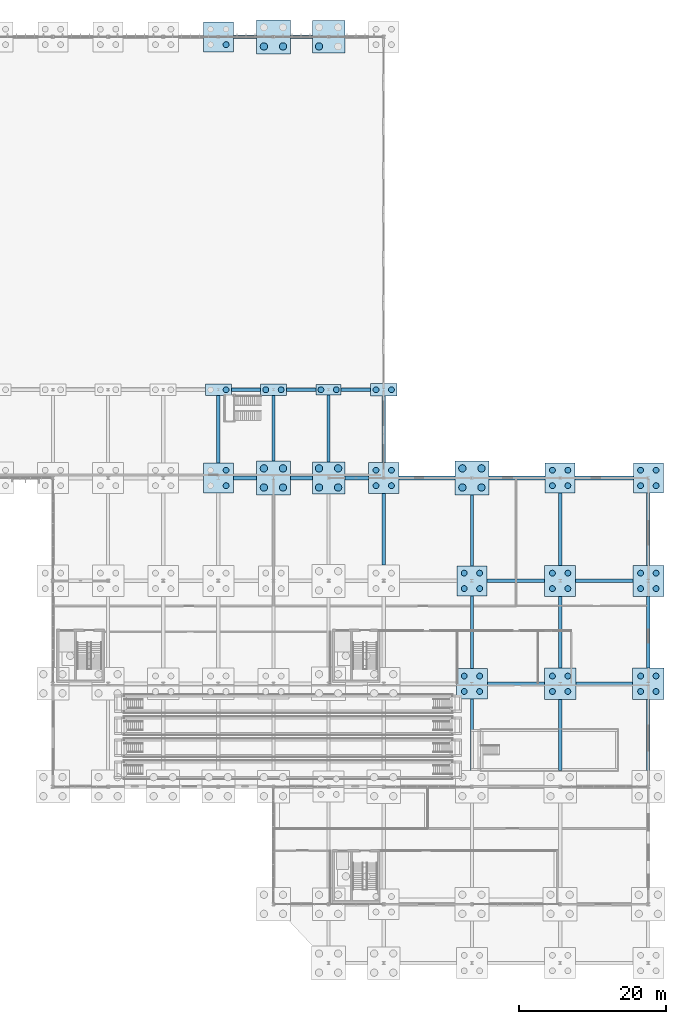
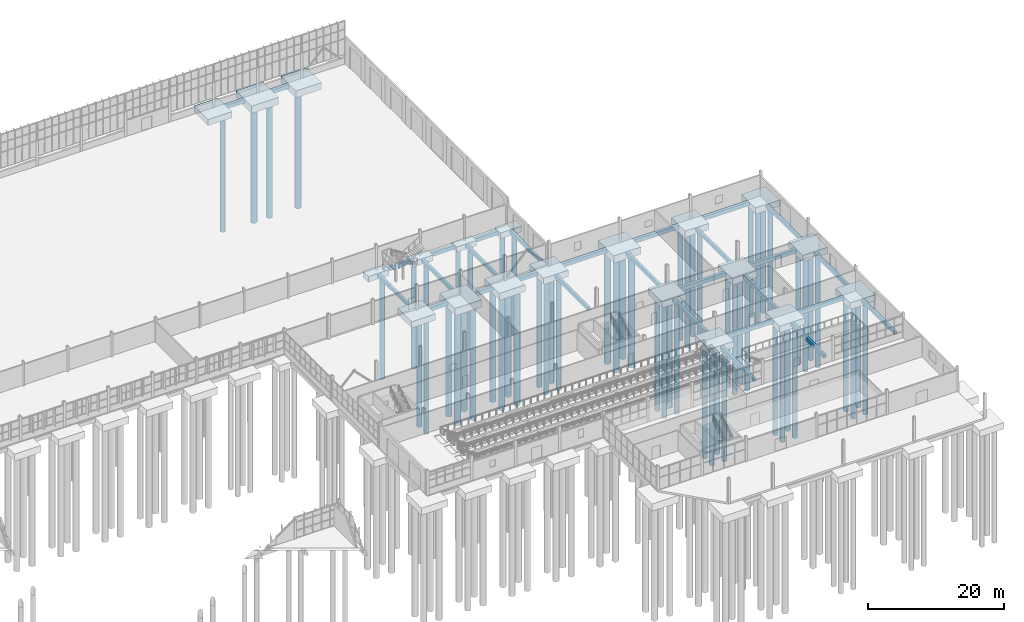
# One storey, part 8 of 136: 61 piles, 49 footings.
"""IFC4 building model written with IfcOpenShell, lengths in metres."""

from ifc_helpers import new_model, si_unit, direction, frame, origin, origin_2d, place, context, subcontext, project, spatial, rectangle, circle, extrude, material, material_profile, profile_set, type_object, element, save


model = new_model("IFC4")

# Units and contexts
model_context = context("Model", 3, precision=1e-05, world=origin(), true_north=direction((0.0, 1.0)))
body_context = subcontext(model_context, "Body", "Model", "MODEL_VIEW")
ifc_project = project(units=[si_unit("LENGTHUNIT", "METRE"), si_unit("AREAUNIT", "SQUARE_METRE"), si_unit("VOLUMEUNIT", "CUBIC_METRE"), si_unit("PLANEANGLEUNIT", "RADIAN"), si_unit("MASSUNIT", "GRAM", prefix="KILO")], contexts=[model_context])

# Site, building, storey
site_placement = place(None, origin())
site = spatial("IfcSite", under=ifc_project, at=site_placement, CompositionType="ELEMENT")
building_placement = place(site_placement, origin())
building = spatial("IfcBuilding", under=site, at=building_placement, Name="Solvenia Promenade Tram Depot", CompositionType="ELEMENT")
storey_placement = place(building_placement, origin())
storey = spatial("IfcBuildingStorey", under=building, at=storey_placement, Name="L00", CompositionType="ELEMENT", Elevation=0.0)

# Footings
ifc_material = material(Name="Concrete C28/35", Category="concrete")
footing_type_1 = type_object("IfcFootingType", Name="Cap-PC2-3400x1450", PredefinedType="PILE_CAP", material=ifc_material)
footing_1_placement = place(storey_placement, frame((142.5, 78.0, -1.25), z_axis=(0.0, 0.0, 1.0), x_axis=(1.0, 0.0, 0.0)))
element("IfcFooting", 1, at=footing_1_placement, inside=storey, type_object=footing_type_1, Name="Pile Cap CAP-131", PredefinedType="PILE_CAP", context=body_context, shape_type="SweptSolid", body=[
    extrude(rectangle(XDim=3.39990234375, YDim=1.449951171875, at=origin_2d()), origin(), (0.0, 0.0, 1.0), 0.949951171875),
])
footing_type_2 = type_object("IfcFootingType", Name="Cap-PC2-3500x1560", PredefinedType="PILE_CAP", material=ifc_material)
footing_2_placement = place(storey_placement, frame((135.0, 78.0, -1.300048828125), z_axis=(0.0, 0.0, 1.0), x_axis=(1.0, 0.0, 0.0)))
element("IfcFooting", 2, at=footing_2_placement, inside=storey, type_object=footing_type_2, Name="Pile Cap CAP-123", PredefinedType="PILE_CAP", context=body_context, shape_type="SweptSolid", body=[
    extrude(rectangle(XDim=3.5, YDim=1.56005859375, at=origin_2d()), origin(), (0.0, 0.0, 1.0), 1.0),
])
footing_type_3 = type_object("IfcFootingType", Name="Cap-PC2-3550x1620", PredefinedType="PILE_CAP", material=ifc_material)
footing_3_placement = place(storey_placement, frame((127.5, 78.0, -1.320068359375), z_axis=(0.0, 0.0, 1.0), x_axis=(1.0, 0.0, 0.0)))
element("IfcFooting", 3, at=footing_3_placement, inside=storey, type_object=footing_type_3, Name="Pile Cap CAP-116", PredefinedType="PILE_CAP", context=body_context, shape_type="SweptSolid", body=[
    extrude(rectangle(XDim=3.550048828125, YDim=1.6201171875, at=origin_2d()), origin(), (0.0, 0.0, 1.0), 1.02001953125),
])
footing_type_4 = type_object("IfcFootingType", Name="Cap-PC2-3600x1680", PredefinedType="PILE_CAP", material=ifc_material)
footing_4_placement = place(storey_placement, frame((150.0, 78.0, -1.35009765625), z_axis=(0.0, 0.0, 1.0), x_axis=(1.0, 0.0, 0.0)))
element("IfcFooting", 4, at=footing_4_placement, inside=storey, type_object=footing_type_4, Name="Pile Cap CAP-139", PredefinedType="PILE_CAP", context=body_context, shape_type="SweptSolid", body=[
    extrude(rectangle(XDim=3.60009765625, YDim=1.679931640625, at=origin_2d()), origin(), (0.0, 0.0, 1.0), 1.050048828125),
])
footing_type_5 = type_object("IfcFootingType", Name="Cap-PC4-4100", PredefinedType="PILE_CAP", material=ifc_material)
for number, where, z_axis, x_axis, name in (
    (5, (127.5, 66.0, -1.420166015625), (0.0, 0.0, 1.0), (1.0, 0.0, 0.0), "Pile Cap CAP-115"),
    (6, (127.5, 126.0, -1.420166015625), (0.0, 0.0, 1.0), (1.0, 0.0, 0.0), "Pile Cap CAP-117"),
    (7, (162.0, 52.0, -1.420166015625), (0.0, 0.0, 1.0), (1.0, 0.0, 0.0), "Pile Cap CAP-145"),
    (8, (174.0, 66.0, -1.420166015625), (0.0, 0.0, 1.0), (1.0, 0.0, 0.0), "Pile Cap CAP-152"),
    (9, (186.0, 66.0, -1.420166015625), (0.0, 0.0, 1.0), (1.0, 0.0, 0.0), "Pile Cap CAP-158"),
):
    element("IfcFooting", number, at=place(storey_placement, frame(where, z_axis=z_axis, x_axis=x_axis)), inside=storey, type_object=footing_type_5, Name=name, PredefinedType="PILE_CAP", context=body_context, shape_type="SweptSolid", body=[
        extrude(rectangle(XDim=4.10009765625, YDim=4.10009765625, at=origin_2d()), origin(), (0.0, 0.0, 1.0), 1.1201171875),
    ])
footing_type_6 = type_object("IfcFootingType", Name="Cap-PC4-4200", PredefinedType="PILE_CAP", material=ifc_material)
for number, where, z_axis, x_axis, name in (
    (10, (150.0, 66.0, -1.449951171875), (0.0, 0.0, 1.0), (1.0, 0.0, 0.0), "Pile Cap CAP-138"),
    (11, (162.0, 38.0, -1.449951171875), (0.0, 0.0, 1.0), (1.0, 0.0, 0.0), "Pile Cap CAP-144"),
    (12, (174.0, 52.0, -1.449951171875), (0.0, 0.0, 1.0), (1.0, 0.0, 0.0), "Pile Cap CAP-151"),
    (13, (186.0, 52.0, -1.449951171875), (0.0, 0.0, 1.0), (1.0, 0.0, 0.0), "Pile Cap CAP-157"),
):
    element("IfcFooting", number, at=place(storey_placement, frame(where, z_axis=z_axis, x_axis=x_axis)), inside=storey, type_object=footing_type_6, Name=name, PredefinedType="PILE_CAP", context=body_context, shape_type="SweptSolid", body=[
        extrude(rectangle(XDim=4.199951171875, YDim=4.199951171875, at=origin_2d()), origin(), (0.0, 0.0, 1.0), 1.14990234375),
    ])
footing_type_7 = type_object("IfcFootingType", Name="Cap-PC4-4300", PredefinedType="PILE_CAP", material=ifc_material)
for number, where, z_axis, x_axis, name in (
    (14, (174.0, 38.0, -1.47998046875), (0.0, 0.0, 1.0), (1.0, 0.0, 0.0), "Pile Cap CAP-150"),
    (15, (186.0, 38.0, -1.47998046875), (0.0, 0.0, 1.0), (1.0, 0.0, 0.0), "Pile Cap CAP-156"),
):
    element("IfcFooting", number, at=place(storey_placement, frame(where, z_axis=z_axis, x_axis=x_axis)), inside=storey, type_object=footing_type_7, Name=name, PredefinedType="PILE_CAP", context=body_context, shape_type="SweptSolid", body=[
        extrude(rectangle(XDim=4.300048828125, YDim=4.300048828125, at=origin_2d()), origin(), (0.0, 0.0, 1.0), 1.179931640625),
    ])
footing_type_8 = type_object("IfcFootingType", Name="Cap-PC4-4400", PredefinedType="PILE_CAP", material=ifc_material)
for number, where, z_axis, x_axis, name in (
    (16, (142.5, 66.0, -1.52001953125), (0.0, 0.0, 1.0), (1.0, 0.0, 0.0), "Pile Cap CAP-130"),
    (17, (142.5, 126.0, -1.52001953125), (0.0, 0.0, 1.0), (1.0, 0.0, 0.0), "Pile Cap CAP-132"),
):
    element("IfcFooting", number, at=place(storey_placement, frame(where, z_axis=z_axis, x_axis=x_axis)), inside=storey, type_object=footing_type_8, Name=name, PredefinedType="PILE_CAP", context=body_context, shape_type="SweptSolid", body=[
        extrude(rectangle(XDim=4.39990234375, YDim=4.39990234375, at=origin_2d()), origin(), (0.0, 0.0, 1.0), 1.219970703125),
    ])
footing_type_9 = type_object("IfcFootingType", Name="Cap-PC4-4600", PredefinedType="PILE_CAP", material=ifc_material)
for number, where, z_axis, x_axis, name in (
    (18, (135.0, 66.0, -1.60009765625), (0.0, 0.0, 1.0), (1.0, 0.0, 0.0), "Pile Cap CAP-122"),
    (19, (135.0, 126.0, -1.60009765625), (0.0, 0.0, 1.0), (1.0, 0.0, 0.0), "Pile Cap CAP-124"),
    (20, (162.0, 66.0, -1.60009765625), (0.0, 0.0, 1.0), (1.0, 0.0, 0.0), "Pile Cap CAP-146"),
):
    element("IfcFooting", number, at=place(storey_placement, frame(where, z_axis=z_axis, x_axis=x_axis)), inside=storey, type_object=footing_type_9, Name=name, PredefinedType="PILE_CAP", context=body_context, shape_type="SweptSolid", body=[
        extrude(rectangle(XDim=4.60009765625, YDim=4.60009765625, at=origin_2d()), origin(), (0.0, 0.0, 1.0), 1.300048828125),
    ])

# Piles
ifc_material_profile_1 = material_profile(ifc_material, circle(Radius=0.5, at=origin_2d()), Name="D1000", Category="concrete")
ifc_profile_set_1 = profile_set([ifc_material_profile_1], Name="Concrete C28/35")
pile_type_1 = type_object("IfcPileType", Name="Pile-D1000", PredefinedType="BORED", material=ifc_profile_set_1)
for number, where, z_axis, x_axis, name in (
    (21, (133.699951171875, 64.699951171875, -1.5), (0.0, 0.0, -1.0), (1.0, 0.0, 0.0), "Bored Pile PILE-122-1"),
    (22, (133.699951171875, 67.300048828125, -1.5), (0.0, 0.0, -1.0), (1.0, 0.0, 0.0), "Bored Pile PILE-122-2"),
    (23, (136.300048828125, 64.699951171875, -1.5), (0.0, 0.0, -1.0), (1.0, 0.0, 0.0), "Bored Pile PILE-122-3"),
    (24, (136.300048828125, 67.300048828125, -1.5), (0.0, 0.0, -1.0), (1.0, 0.0, 0.0), "Bored Pile PILE-122-4"),
    (25, (133.699951171875, 124.699951171875, -1.5), (0.0, 0.0, -1.0), (1.0, 0.0, 0.0), "Bored Pile PILE-124-1"),
    (26, (136.300048828125, 124.699951171875, -1.5), (0.0, 0.0, -1.0), (1.0, 0.0, 0.0), "Bored Pile PILE-124-3"),
):
    element("IfcPile", number, at=place(storey_placement, frame(where, z_axis=z_axis, x_axis=x_axis)), inside=storey, type_object=pile_type_1, Name=name, PredefinedType="BORED", context=body_context, shape_type="SweptSolid", body=[
        extrude(circle(Radius=0.5, at=origin_2d()), origin(), (0.0, 0.0, 1.0), 20.5),
    ])
for number, where, z_axis, x_axis, name in (
    (27, (141.199951171875, 64.699951171875, -1.419921875), (0.0, 0.0, -1.0), (1.0, 0.0, 0.0), "Bored Pile PILE-130-1"),
    (28, (141.199951171875, 67.300048828125, -1.419921875), (0.0, 0.0, -1.0), (1.0, 0.0, 0.0), "Bored Pile PILE-130-2"),
    (29, (143.800048828125, 64.699951171875, -1.419921875), (0.0, 0.0, -1.0), (1.0, 0.0, 0.0), "Bored Pile PILE-130-3"),
    (30, (143.800048828125, 67.300048828125, -1.419921875), (0.0, 0.0, -1.0), (1.0, 0.0, 0.0), "Bored Pile PILE-130-4"),
    (31, (141.199951171875, 124.699951171875, -1.419921875), (0.0, 0.0, -1.0), (1.0, 0.0, 0.0), "Bored Pile PILE-132-1"),
):
    element("IfcPile", number, at=place(storey_placement, frame(where, z_axis=z_axis, x_axis=x_axis)), inside=storey, type_object=pile_type_1, Name=name, PredefinedType="BORED", context=body_context, shape_type="SweptSolid", body=[
        extrude(circle(Radius=0.5, at=origin_2d()), origin(), (0.0, 0.0, 1.0), 20.580078125),
    ])
for number, where, z_axis, x_axis, name in (
    (32, (160.699951171875, 64.699951171875, -1.5), (0.0, 0.0, -1.0), (1.0, 0.0, 0.0), "Bored Pile PILE-146-1"),
    (33, (160.699951171875, 67.300048828125, -1.5), (0.0, 0.0, -1.0), (1.0, 0.0, 0.0), "Bored Pile PILE-146-2"),
    (34, (163.300048828125, 64.699951171875, -1.5), (0.0, 0.0, -1.0), (1.0, 0.0, 0.0), "Bored Pile PILE-146-3"),
    (35, (163.300048828125, 67.300048828125, -1.5), (0.0, 0.0, -1.0), (1.0, 0.0, 0.0), "Bored Pile PILE-146-4"),
):
    element("IfcPile", number, at=place(storey_placement, frame(where, z_axis=z_axis, x_axis=x_axis)), inside=storey, type_object=pile_type_1, Name=name, PredefinedType="BORED", context=body_context, shape_type="SweptSolid", body=[
        extrude(circle(Radius=0.5, at=origin_2d()), origin(), (0.0, 0.0, 1.0), 20.5),
    ])
ifc_material_profile_2 = material_profile(ifc_material, circle(Radius=0.39990234375, at=origin_2d()), Name="D800", Category="concrete")
ifc_profile_set_2 = profile_set([ifc_material_profile_2], Name="Concrete C28/35")
pile_type_2 = type_object("IfcPileType", Name="Pile-D800", PredefinedType="BORED", material=ifc_profile_set_2)
for number, where, z_axis, x_axis, name in (
    (36, (128.550048828125, 64.949951171875, -1.320068359375), (0.0, 0.0, -1.0), (1.0, 0.0, 0.0), "Bored Pile PILE-115-3"),
    (37, (128.550048828125, 67.050048828125, -1.320068359375), (0.0, 0.0, -1.0), (1.0, 0.0, 0.0), "Bored Pile PILE-115-4"),
):
    element("IfcPile", number, at=place(storey_placement, frame(where, z_axis=z_axis, x_axis=x_axis)), inside=storey, type_object=pile_type_2, Name=name, PredefinedType="BORED", context=body_context, shape_type="SweptSolid", body=[
        extrude(circle(Radius=0.39990234375, at=origin_2d()), origin(), (0.0, 0.0, 1.0), 20.679931640625),
    ])
pile_1_placement = place(storey_placement, frame((128.550048828125, 78.0, -1.219970703125), z_axis=(0.0, 0.0, -1.0), x_axis=(1.0, 0.0, 0.0)))
element("IfcPile", 38, at=pile_1_placement, inside=storey, type_object=pile_type_2, Name="Bored Pile PILE-116-2", PredefinedType="BORED", context=body_context, shape_type="SweptSolid", body=[
    extrude(circle(Radius=0.39990234375, at=origin_2d()), origin(), (0.0, 0.0, 1.0), 18.780029296875),
])
pile_2_placement = place(storey_placement, frame((128.550048828125, 124.949951171875, -1.320068359375), z_axis=(0.0, 0.0, -1.0), x_axis=(1.0, 0.0, 0.0)))
element("IfcPile", 39, at=pile_2_placement, inside=storey, type_object=pile_type_2, Name="Bored Pile PILE-117-3", PredefinedType="BORED", context=body_context, shape_type="SweptSolid", body=[
    extrude(circle(Radius=0.39990234375, at=origin_2d()), origin(), (0.0, 0.0, 1.0), 20.679931640625),
])
for number, where, z_axis, x_axis, name in (
    (40, (133.949951171875, 78.0, -1.199951171875), (0.0, 0.0, -1.0), (1.0, 0.0, 0.0), "Bored Pile PILE-123-1"),
    (41, (136.050048828125, 78.0, -1.199951171875), (0.0, 0.0, -1.0), (1.0, 0.0, 0.0), "Bored Pile PILE-123-2"),
):
    element("IfcPile", number, at=place(storey_placement, frame(where, z_axis=z_axis, x_axis=x_axis)), inside=storey, type_object=pile_type_2, Name=name, PredefinedType="BORED", context=body_context, shape_type="SweptSolid", body=[
        extrude(circle(Radius=0.39990234375, at=origin_2d()), origin(), (0.0, 0.0, 1.0), 18.800048828125),
    ])
for number, where, z_axis, x_axis, name in (
    (42, (141.449951171875, 78.0, -1.14990234375), (0.0, 0.0, -1.0), (1.0, 0.0, 0.0), "Bored Pile PILE-131-1"),
    (43, (143.550048828125, 78.0, -1.14990234375), (0.0, 0.0, -1.0), (1.0, 0.0, 0.0), "Bored Pile PILE-131-2"),
):
    element("IfcPile", number, at=place(storey_placement, frame(where, z_axis=z_axis, x_axis=x_axis)), inside=storey, type_object=pile_type_2, Name=name, PredefinedType="BORED", context=body_context, shape_type="SweptSolid", body=[
        extrude(circle(Radius=0.39990234375, at=origin_2d()), origin(), (0.0, 0.0, 1.0), 18.85009765625),
    ])
for number, where, z_axis, x_axis, name in (
    (44, (148.949951171875, 64.949951171875, -1.35009765625), (0.0, 0.0, -1.0), (1.0, 0.0, 0.0), "Bored Pile PILE-138-1"),
    (45, (148.949951171875, 67.050048828125, -1.35009765625), (0.0, 0.0, -1.0), (1.0, 0.0, 0.0), "Bored Pile PILE-138-2"),
    (46, (151.050048828125, 64.949951171875, -1.35009765625), (0.0, 0.0, -1.0), (1.0, 0.0, 0.0), "Bored Pile PILE-138-3"),
    (47, (151.050048828125, 67.050048828125, -1.35009765625), (0.0, 0.0, -1.0), (1.0, 0.0, 0.0), "Bored Pile PILE-138-4"),
):
    element("IfcPile", number, at=place(storey_placement, frame(where, z_axis=z_axis, x_axis=x_axis)), inside=storey, type_object=pile_type_2, Name=name, PredefinedType="BORED", context=body_context, shape_type="SweptSolid", body=[
        extrude(circle(Radius=0.39990234375, at=origin_2d()), origin(), (0.0, 0.0, 1.0), 20.64990234375),
    ])
for number, where, z_axis, x_axis, name in (
    (48, (148.949951171875, 78.0, -1.25), (0.0, 0.0, -1.0), (1.0, 0.0, 0.0), "Bored Pile PILE-139-1"),
    (49, (151.050048828125, 78.0, -1.25), (0.0, 0.0, -1.0), (1.0, 0.0, 0.0), "Bored Pile PILE-139-2"),
):
    element("IfcPile", number, at=place(storey_placement, frame(where, z_axis=z_axis, x_axis=x_axis)), inside=storey, type_object=pile_type_2, Name=name, PredefinedType="BORED", context=body_context, shape_type="SweptSolid", body=[
        extrude(circle(Radius=0.39990234375, at=origin_2d()), origin(), (0.0, 0.0, 1.0), 18.75),
    ])
for number, where, z_axis, x_axis, name in (
    (50, (160.949951171875, 36.949951171875, -1.35009765625), (0.0, 0.0, -1.0), (1.0, 0.0, 0.0), "Bored Pile PILE-144-1"),
    (51, (160.949951171875, 39.050048828125, -1.35009765625), (0.0, 0.0, -1.0), (1.0, 0.0, 0.0), "Bored Pile PILE-144-2"),
    (52, (163.050048828125, 36.949951171875, -1.35009765625), (0.0, 0.0, -1.0), (1.0, 0.0, 0.0), "Bored Pile PILE-144-3"),
    (53, (163.050048828125, 39.050048828125, -1.35009765625), (0.0, 0.0, -1.0), (1.0, 0.0, 0.0), "Bored Pile PILE-144-4"),
):
    element("IfcPile", number, at=place(storey_placement, frame(where, z_axis=z_axis, x_axis=x_axis)), inside=storey, type_object=pile_type_2, Name=name, PredefinedType="BORED", context=body_context, shape_type="SweptSolid", body=[
        extrude(circle(Radius=0.39990234375, at=origin_2d()), origin(), (0.0, 0.0, 1.0), 20.64990234375),
    ])
for number, where, z_axis, x_axis, name in (
    (54, (160.949951171875, 50.949951171875, -1.320068359375), (0.0, 0.0, -1.0), (1.0, 0.0, 0.0), "Bored Pile PILE-145-1"),
    (55, (160.949951171875, 53.050048828125, -1.320068359375), (0.0, 0.0, -1.0), (1.0, 0.0, 0.0), "Bored Pile PILE-145-2"),
    (56, (163.050048828125, 50.949951171875, -1.320068359375), (0.0, 0.0, -1.0), (1.0, 0.0, 0.0), "Bored Pile PILE-145-3"),
    (57, (163.050048828125, 53.050048828125, -1.320068359375), (0.0, 0.0, -1.0), (1.0, 0.0, 0.0), "Bored Pile PILE-145-4"),
):
    element("IfcPile", number, at=place(storey_placement, frame(where, z_axis=z_axis, x_axis=x_axis)), inside=storey, type_object=pile_type_2, Name=name, PredefinedType="BORED", context=body_context, shape_type="SweptSolid", body=[
        extrude(circle(Radius=0.39990234375, at=origin_2d()), origin(), (0.0, 0.0, 1.0), 20.679931640625),
    ])
for number, where, z_axis, x_axis, name in (
    (58, (172.949951171875, 36.949951171875, -1.3798828125), (0.0, 0.0, -1.0), (1.0, 0.0, 0.0), "Bored Pile PILE-150-1"),
    (59, (172.949951171875, 39.050048828125, -1.3798828125), (0.0, 0.0, -1.0), (1.0, 0.0, 0.0), "Bored Pile PILE-150-2"),
    (60, (175.050048828125, 36.949951171875, -1.3798828125), (0.0, 0.0, -1.0), (1.0, 0.0, 0.0), "Bored Pile PILE-150-3"),
    (61, (175.050048828125, 39.050048828125, -1.3798828125), (0.0, 0.0, -1.0), (1.0, 0.0, 0.0), "Bored Pile PILE-150-4"),
):
    element("IfcPile", number, at=place(storey_placement, frame(where, z_axis=z_axis, x_axis=x_axis)), inside=storey, type_object=pile_type_2, Name=name, PredefinedType="BORED", context=body_context, shape_type="SweptSolid", body=[
        extrude(circle(Radius=0.39990234375, at=origin_2d()), origin(), (0.0, 0.0, 1.0), 20.6201171875),
    ])
for number, where, z_axis, x_axis, name in (
    (62, (172.949951171875, 50.949951171875, -1.35009765625), (0.0, 0.0, -1.0), (1.0, 0.0, 0.0), "Bored Pile PILE-151-1"),
    (63, (172.949951171875, 53.050048828125, -1.35009765625), (0.0, 0.0, -1.0), (1.0, 0.0, 0.0), "Bored Pile PILE-151-2"),
    (64, (175.050048828125, 50.949951171875, -1.35009765625), (0.0, 0.0, -1.0), (1.0, 0.0, 0.0), "Bored Pile PILE-151-3"),
    (65, (175.050048828125, 53.050048828125, -1.35009765625), (0.0, 0.0, -1.0), (1.0, 0.0, 0.0), "Bored Pile PILE-151-4"),
):
    element("IfcPile", number, at=place(storey_placement, frame(where, z_axis=z_axis, x_axis=x_axis)), inside=storey, type_object=pile_type_2, Name=name, PredefinedType="BORED", context=body_context, shape_type="SweptSolid", body=[
        extrude(circle(Radius=0.39990234375, at=origin_2d()), origin(), (0.0, 0.0, 1.0), 20.64990234375),
    ])
for number, where, z_axis, x_axis, name in (
    (66, (172.949951171875, 64.949951171875, -1.320068359375), (0.0, 0.0, -1.0), (1.0, 0.0, 0.0), "Bored Pile PILE-152-1"),
    (67, (172.949951171875, 67.050048828125, -1.320068359375), (0.0, 0.0, -1.0), (1.0, 0.0, 0.0), "Bored Pile PILE-152-2"),
    (68, (175.050048828125, 64.949951171875, -1.320068359375), (0.0, 0.0, -1.0), (1.0, 0.0, 0.0), "Bored Pile PILE-152-3"),
    (69, (175.050048828125, 67.050048828125, -1.320068359375), (0.0, 0.0, -1.0), (1.0, 0.0, 0.0), "Bored Pile PILE-152-4"),
):
    element("IfcPile", number, at=place(storey_placement, frame(where, z_axis=z_axis, x_axis=x_axis)), inside=storey, type_object=pile_type_2, Name=name, PredefinedType="BORED", context=body_context, shape_type="SweptSolid", body=[
        extrude(circle(Radius=0.39990234375, at=origin_2d()), origin(), (0.0, 0.0, 1.0), 20.679931640625),
    ])
for number, where, z_axis, x_axis, name in (
    (70, (184.949951171875, 36.949951171875, -1.3798828125), (0.0, 0.0, -1.0), (1.0, 0.0, 0.0), "Bored Pile PILE-156-1"),
    (71, (184.949951171875, 39.050048828125, -1.3798828125), (0.0, 0.0, -1.0), (1.0, 0.0, 0.0), "Bored Pile PILE-156-2"),
    (72, (187.050048828125, 36.949951171875, -1.3798828125), (0.0, 0.0, -1.0), (1.0, 0.0, 0.0), "Bored Pile PILE-156-3"),
    (73, (187.050048828125, 39.050048828125, -1.3798828125), (0.0, 0.0, -1.0), (1.0, 0.0, 0.0), "Bored Pile PILE-156-4"),
):
    element("IfcPile", number, at=place(storey_placement, frame(where, z_axis=z_axis, x_axis=x_axis)), inside=storey, type_object=pile_type_2, Name=name, PredefinedType="BORED", context=body_context, shape_type="SweptSolid", body=[
        extrude(circle(Radius=0.39990234375, at=origin_2d()), origin(), (0.0, 0.0, 1.0), 20.6201171875),
    ])
for number, where, z_axis, x_axis, name in (
    (74, (184.949951171875, 50.949951171875, -1.35009765625), (0.0, 0.0, -1.0), (1.0, 0.0, 0.0), "Bored Pile PILE-157-1"),
    (75, (184.949951171875, 53.050048828125, -1.35009765625), (0.0, 0.0, -1.0), (1.0, 0.0, 0.0), "Bored Pile PILE-157-2"),
    (76, (187.050048828125, 50.949951171875, -1.35009765625), (0.0, 0.0, -1.0), (1.0, 0.0, 0.0), "Bored Pile PILE-157-3"),
    (77, (187.050048828125, 53.050048828125, -1.35009765625), (0.0, 0.0, -1.0), (1.0, 0.0, 0.0), "Bored Pile PILE-157-4"),
):
    element("IfcPile", number, at=place(storey_placement, frame(where, z_axis=z_axis, x_axis=x_axis)), inside=storey, type_object=pile_type_2, Name=name, PredefinedType="BORED", context=body_context, shape_type="SweptSolid", body=[
        extrude(circle(Radius=0.39990234375, at=origin_2d()), origin(), (0.0, 0.0, 1.0), 20.64990234375),
    ])
for number, where, z_axis, x_axis, name in (
    (78, (184.949951171875, 64.949951171875, -1.320068359375), (0.0, 0.0, -1.0), (1.0, 0.0, 0.0), "Bored Pile PILE-158-1"),
    (79, (184.949951171875, 67.050048828125, -1.320068359375), (0.0, 0.0, -1.0), (1.0, 0.0, 0.0), "Bored Pile PILE-158-2"),
    (80, (187.050048828125, 64.949951171875, -1.320068359375), (0.0, 0.0, -1.0), (1.0, 0.0, 0.0), "Bored Pile PILE-158-3"),
    (81, (187.050048828125, 67.050048828125, -1.320068359375), (0.0, 0.0, -1.0), (1.0, 0.0, 0.0), "Bored Pile PILE-158-4"),
):
    element("IfcPile", number, at=place(storey_placement, frame(where, z_axis=z_axis, x_axis=x_axis)), inside=storey, type_object=pile_type_2, Name=name, PredefinedType="BORED", context=body_context, shape_type="SweptSolid", body=[
        extrude(circle(Radius=0.39990234375, at=origin_2d()), origin(), (0.0, 0.0, 1.0), 20.679931640625),
    ])

# Footings
footing_type_10 = type_object("IfcFootingType", Name="TieBeam-450x600", PredefinedType="FOOTING_BEAM", material=ifc_material)
footing_5_placement = place(storey_placement, frame((127.5, 72.6201171875, -0.900146484375), z_axis=(0.0, 0.0, 1.0), x_axis=(1.0, 0.0, 0.0)))
element("IfcFooting", 82, at=footing_5_placement, inside=storey, type_object=footing_type_10, Name="Seismic Tie Beam Y-212", PredefinedType="FOOTING_BEAM", context=body_context, shape_type="SweptSolid", body=[
    extrude(rectangle(XDim=0.449951171875, YDim=9.139892578125, at=origin_2d()), origin(), (0.0, 0.0, 1.0), 0.60009765625),
])
footing_6_placement = place(storey_placement, frame((135.0, 72.760009765625, -0.900146484375), z_axis=(0.0, 0.0, 1.0), x_axis=(1.0, 0.0, 0.0)))
element("IfcFooting", 83, at=footing_6_placement, inside=storey, type_object=footing_type_10, Name="Seismic Tie Beam Y-217", PredefinedType="FOOTING_BEAM", context=body_context, shape_type="SweptSolid", body=[
    extrude(rectangle(XDim=0.449951171875, YDim=8.919921875, at=origin_2d()), origin(), (0.0, 0.0, 1.0), 0.60009765625),
])
footing_7_placement = place(storey_placement, frame((142.5, 72.737548828125, -0.900146484375), z_axis=(0.0, 0.0, 1.0), x_axis=(1.0, 0.0, 0.0)))
element("IfcFooting", 84, at=footing_7_placement, inside=storey, type_object=footing_type_10, Name="Seismic Tie Beam Y-223", PredefinedType="FOOTING_BEAM", context=body_context, shape_type="SweptSolid", body=[
    extrude(rectangle(XDim=0.449951171875, YDim=9.074951171875, at=origin_2d()), origin(), (0.0, 0.0, 1.0), 0.60009765625),
])
footing_8_placement = place(storey_placement, frame((150.0, 59.02490234375, -0.900146484375), z_axis=(0.0, 0.0, 1.0), x_axis=(1.0, 0.0, 0.0)))
element("IfcFooting", 85, at=footing_8_placement, inside=storey, type_object=footing_type_10, Name="Seismic Tie Beam Y-228", PredefinedType="FOOTING_BEAM", context=body_context, shape_type="SweptSolid", body=[
    extrude(rectangle(XDim=0.449951171875, YDim=9.75, at=origin_2d()), origin(), (0.0, 0.0, 1.0), 0.60009765625),
])
footing_9_placement = place(storey_placement, frame((150.0, 72.6298828125, -0.900146484375), z_axis=(0.0, 0.0, 1.0), x_axis=(1.0, 0.0, 0.0)))
element("IfcFooting", 86, at=footing_9_placement, inside=storey, type_object=footing_type_10, Name="Seismic Tie Beam Y-229", PredefinedType="FOOTING_BEAM", context=body_context, shape_type="SweptSolid", body=[
    extrude(rectangle(XDim=0.449951171875, YDim=9.06005859375, at=origin_2d()), origin(), (0.0, 0.0, 1.0), 0.60009765625),
])
footing_10_placement = place(storey_placement, frame((162.0, 31.050048828125, -0.900146484375), z_axis=(0.0, 0.0, 1.0), x_axis=(1.0, 0.0, 0.0)))
element("IfcFooting", 87, at=footing_10_placement, inside=storey, type_object=footing_type_10, Name="Seismic Tie Beam Y-232", PredefinedType="FOOTING_BEAM", context=body_context, shape_type="SweptSolid", body=[
    extrude(rectangle(XDim=0.449951171875, YDim=9.699951171875, at=origin_2d()), origin(), (0.0, 0.0, 1.0), 0.60009765625),
])
footing_11_placement = place(storey_placement, frame((162.0, 45.02490234375, -0.900146484375), z_axis=(0.0, 0.0, 1.0), x_axis=(1.0, 0.0, 0.0)))
element("IfcFooting", 88, at=footing_11_placement, inside=storey, type_object=footing_type_10, Name="Seismic Tie Beam Y-233", PredefinedType="FOOTING_BEAM", context=body_context, shape_type="SweptSolid", body=[
    extrude(rectangle(XDim=0.449951171875, YDim=9.85009765625, at=origin_2d()), origin(), (0.0, 0.0, 1.0), 0.60009765625),
])
for number, where, z_axis, x_axis, name in (
    (89, (162.0, 58.875, -0.900146484375), (0.0, 0.0, 1.0), (1.0, 0.0, 0.0), "Seismic Tie Beam Y-234"),
    (90, (174.0, 31.02490234375, -0.900146484375), (0.0, 0.0, 1.0), (1.0, 0.0, 0.0), "Seismic Tie Beam Y-237"),
):
    element("IfcFooting", number, at=place(storey_placement, frame(where, z_axis=z_axis, x_axis=x_axis)), inside=storey, type_object=footing_type_10, Name=name, PredefinedType="FOOTING_BEAM", context=body_context, shape_type="SweptSolid", body=[
        extrude(rectangle(XDim=0.449951171875, YDim=9.64990234375, at=origin_2d()), origin(), (0.0, 0.0, 1.0), 0.60009765625),
    ])
footing_12_placement = place(storey_placement, frame((174.0, 45.02490234375, -0.900146484375), z_axis=(0.0, 0.0, 1.0), x_axis=(1.0, 0.0, 0.0)))
element("IfcFooting", 91, at=footing_12_placement, inside=storey, type_object=footing_type_10, Name="Seismic Tie Beam Y-238", PredefinedType="FOOTING_BEAM", context=body_context, shape_type="SweptSolid", body=[
    extrude(rectangle(XDim=0.449951171875, YDim=9.75, at=origin_2d()), origin(), (0.0, 0.0, 1.0), 0.60009765625),
])
footing_13_placement = place(storey_placement, frame((174.0, 59.02490234375, -0.900146484375), z_axis=(0.0, 0.0, 1.0), x_axis=(1.0, 0.0, 0.0)))
element("IfcFooting", 92, at=footing_13_placement, inside=storey, type_object=footing_type_10, Name="Seismic Tie Beam Y-239", PredefinedType="FOOTING_BEAM", context=body_context, shape_type="SweptSolid", body=[
    extrude(rectangle(XDim=0.449951171875, YDim=9.85009765625, at=origin_2d()), origin(), (0.0, 0.0, 1.0), 0.60009765625),
])
footing_14_placement = place(storey_placement, frame((186.0, 31.02490234375, -0.900146484375), z_axis=(0.0, 0.0, 1.0), x_axis=(1.0, 0.0, 0.0)))
element("IfcFooting", 93, at=footing_14_placement, inside=storey, type_object=footing_type_10, Name="Seismic Tie Beam Y-242", PredefinedType="FOOTING_BEAM", context=body_context, shape_type="SweptSolid", body=[
    extrude(rectangle(XDim=0.449951171875, YDim=9.64990234375, at=origin_2d()), origin(), (0.0, 0.0, 1.0), 0.60009765625),
])
footing_15_placement = place(storey_placement, frame((186.0, 45.02490234375, -0.900146484375), z_axis=(0.0, 0.0, 1.0), x_axis=(1.0, 0.0, 0.0)))
element("IfcFooting", 94, at=footing_15_placement, inside=storey, type_object=footing_type_10, Name="Seismic Tie Beam Y-243", PredefinedType="FOOTING_BEAM", context=body_context, shape_type="SweptSolid", body=[
    extrude(rectangle(XDim=0.449951171875, YDim=9.75, at=origin_2d()), origin(), (0.0, 0.0, 1.0), 0.60009765625),
])
footing_16_placement = place(storey_placement, frame((186.0, 59.02490234375, -0.900146484375), z_axis=(0.0, 0.0, 1.0), x_axis=(1.0, 0.0, 0.0)))
element("IfcFooting", 95, at=footing_16_placement, inside=storey, type_object=footing_type_10, Name="Seismic Tie Beam Y-244", PredefinedType="FOOTING_BEAM", context=body_context, shape_type="SweptSolid", body=[
    extrude(rectangle(XDim=0.449951171875, YDim=9.85009765625, at=origin_2d()), origin(), (0.0, 0.0, 1.0), 0.60009765625),
])
footing_type_11 = type_object("IfcFootingType", Name="TieBeam-500x700", PredefinedType="FOOTING_BEAM", material=ifc_material)
footing_17_placement = place(storey_placement, frame((167.97509765625, 38.0, -1.0), z_axis=(0.0, 0.0, 1.0), x_axis=(1.0, 0.0, 0.0)))
element("IfcFooting", 96, at=footing_17_placement, inside=storey, type_object=footing_type_11, Name="Seismic Tie Beam X-066", PredefinedType="FOOTING_BEAM", context=body_context, shape_type="SweptSolid", body=[
    extrude(rectangle(XDim=7.75, YDim=0.5, at=origin_2d()), origin(), (0.0, 0.0, 1.0), 0.699951171875),
])
footing_18_placement = place(storey_placement, frame((180.0, 38.0, -1.0), z_axis=(0.0, 0.0, 1.0), x_axis=(1.0, 0.0, 0.0)))
element("IfcFooting", 97, at=footing_18_placement, inside=storey, type_object=footing_type_11, Name="Seismic Tie Beam X-067", PredefinedType="FOOTING_BEAM", context=body_context, shape_type="SweptSolid", body=[
    extrude(rectangle(XDim=7.699951171875, YDim=0.5, at=origin_2d()), origin(), (0.0, 0.0, 1.0), 0.699951171875),
])
footing_19_placement = place(storey_placement, frame((167.97509765625, 52.0, -1.0), z_axis=(0.0, 0.0, 1.0), x_axis=(1.0, 0.0, 0.0)))
element("IfcFooting", 98, at=footing_19_placement, inside=storey, type_object=footing_type_11, Name="Seismic Tie Beam X-081", PredefinedType="FOOTING_BEAM", context=body_context, shape_type="SweptSolid", body=[
    extrude(rectangle(XDim=7.85009765625, YDim=0.5, at=origin_2d()), origin(), (0.0, 0.0, 1.0), 0.699951171875),
])
footing_20_placement = place(storey_placement, frame((180.0, 52.0, -1.0), z_axis=(0.0, 0.0, 1.0), x_axis=(1.0, 0.0, 0.0)))
element("IfcFooting", 99, at=footing_20_placement, inside=storey, type_object=footing_type_11, Name="Seismic Tie Beam X-082", PredefinedType="FOOTING_BEAM", context=body_context, shape_type="SweptSolid", body=[
    extrude(rectangle(XDim=7.800048828125, YDim=0.5, at=origin_2d()), origin(), (0.0, 0.0, 1.0), 0.699951171875),
])
footing_21_placement = place(storey_placement, frame((131.125, 66.0, -1.0), z_axis=(0.0, 0.0, 1.0), x_axis=(1.0, 0.0, 0.0)))
element("IfcFooting", 100, at=footing_21_placement, inside=storey, type_object=footing_type_11, Name="Seismic Tie Beam X-100", PredefinedType="FOOTING_BEAM", context=body_context, shape_type="SweptSolid", body=[
    extrude(rectangle(XDim=3.14990234375, YDim=0.5, at=origin_2d()), origin(), (0.0, 0.0, 1.0), 0.699951171875),
])
footing_22_placement = place(storey_placement, frame((138.800048828125, 66.0, -1.0), z_axis=(0.0, 0.0, 1.0), x_axis=(1.0, 0.0, 0.0)))
element("IfcFooting", 101, at=footing_22_placement, inside=storey, type_object=footing_type_11, Name="Seismic Tie Beam X-101", PredefinedType="FOOTING_BEAM", context=body_context, shape_type="SweptSolid", body=[
    extrude(rectangle(XDim=3.0, YDim=0.5, at=origin_2d()), origin(), (0.0, 0.0, 1.0), 0.699951171875),
])
footing_23_placement = place(storey_placement, frame((146.300048828125, 66.0, -1.0), z_axis=(0.0, 0.0, 1.0), x_axis=(1.0, 0.0, 0.0)))
element("IfcFooting", 102, at=footing_23_placement, inside=storey, type_object=footing_type_11, Name="Seismic Tie Beam X-102", PredefinedType="FOOTING_BEAM", context=body_context, shape_type="SweptSolid", body=[
    extrude(rectangle(XDim=3.199951171875, YDim=0.5, at=origin_2d()), origin(), (0.0, 0.0, 1.0), 0.699951171875),
])
footing_24_placement = place(storey_placement, frame((155.89990234375, 66.0, -1.0), z_axis=(0.0, 0.0, 1.0), x_axis=(1.0, 0.0, 0.0)))
element("IfcFooting", 103, at=footing_24_placement, inside=storey, type_object=footing_type_11, Name="Seismic Tie Beam X-103", PredefinedType="FOOTING_BEAM", context=body_context, shape_type="SweptSolid", body=[
    extrude(rectangle(XDim=7.60009765625, YDim=0.5, at=origin_2d()), origin(), (0.0, 0.0, 1.0), 0.699951171875),
])
footing_25_placement = place(storey_placement, frame((168.125, 66.0, -1.0), z_axis=(0.0, 0.0, 1.0), x_axis=(1.0, 0.0, 0.0)))
element("IfcFooting", 104, at=footing_25_placement, inside=storey, type_object=footing_type_11, Name="Seismic Tie Beam X-104", PredefinedType="FOOTING_BEAM", context=body_context, shape_type="SweptSolid", body=[
    extrude(rectangle(XDim=7.64990234375, YDim=0.5, at=origin_2d()), origin(), (0.0, 0.0, 1.0), 0.699951171875),
])
footing_26_placement = place(storey_placement, frame((180.0, 66.0, -1.0), z_axis=(0.0, 0.0, 1.0), x_axis=(1.0, 0.0, 0.0)))
element("IfcFooting", 105, at=footing_26_placement, inside=storey, type_object=footing_type_11, Name="Seismic Tie Beam X-105", PredefinedType="FOOTING_BEAM", context=body_context, shape_type="SweptSolid", body=[
    extrude(rectangle(XDim=7.89990234375, YDim=0.5, at=origin_2d()), origin(), (0.0, 0.0, 1.0), 0.699951171875),
])
footing_27_placement = place(storey_placement, frame((131.262451171875, 78.0, -1.0), z_axis=(0.0, 0.0, 1.0), x_axis=(1.0, 0.0, 0.0)))
element("IfcFooting", 106, at=footing_27_placement, inside=storey, type_object=footing_type_11, Name="Seismic Tie Beam X-123", PredefinedType="FOOTING_BEAM", context=body_context, shape_type="SweptSolid", body=[
    extrude(rectangle(XDim=3.97509765625, YDim=0.5, at=origin_2d()), origin(), (0.0, 0.0, 1.0), 0.699951171875),
])
footing_28_placement = place(storey_placement, frame((138.77490234375, 78.0, -1.0), z_axis=(0.0, 0.0, 1.0), x_axis=(1.0, 0.0, 0.0)))
element("IfcFooting", 107, at=footing_28_placement, inside=storey, type_object=footing_type_11, Name="Seismic Tie Beam X-124", PredefinedType="FOOTING_BEAM", context=body_context, shape_type="SweptSolid", body=[
    extrude(rectangle(XDim=4.050048828125, YDim=0.5, at=origin_2d()), origin(), (0.0, 0.0, 1.0), 0.699951171875),
])
footing_29_placement = place(storey_placement, frame((146.199951171875, 78.0, -1.0), z_axis=(0.0, 0.0, 1.0), x_axis=(1.0, 0.0, 0.0)))
element("IfcFooting", 108, at=footing_29_placement, inside=storey, type_object=footing_type_11, Name="Seismic Tie Beam X-125", PredefinedType="FOOTING_BEAM", context=body_context, shape_type="SweptSolid", body=[
    extrude(rectangle(XDim=4.0, YDim=0.5, at=origin_2d()), origin(), (0.0, 0.0, 1.0), 0.699951171875),
])
footing_30_placement = place(storey_placement, frame((131.125, 126.0, -1.0), z_axis=(0.0, 0.0, 1.0), x_axis=(1.0, 0.0, 0.0)))
element("IfcFooting", 109, at=footing_30_placement, inside=storey, type_object=footing_type_11, Name="Seismic Tie Beam X-135", PredefinedType="FOOTING_BEAM", context=body_context, shape_type="SweptSolid", body=[
    extrude(rectangle(XDim=3.14990234375, YDim=0.5, at=origin_2d()), origin(), (0.0, 0.0, 1.0), 0.699951171875),
])
footing_31_placement = place(storey_placement, frame((138.800048828125, 126.0, -1.0), z_axis=(0.0, 0.0, 1.0), x_axis=(1.0, 0.0, 0.0)))
element("IfcFooting", 110, at=footing_31_placement, inside=storey, type_object=footing_type_11, Name="Seismic Tie Beam X-136", PredefinedType="FOOTING_BEAM", context=body_context, shape_type="SweptSolid", body=[
    extrude(rectangle(XDim=3.0, YDim=0.5, at=origin_2d()), origin(), (0.0, 0.0, 1.0), 0.699951171875),
])

save(model, "model.ifc")
